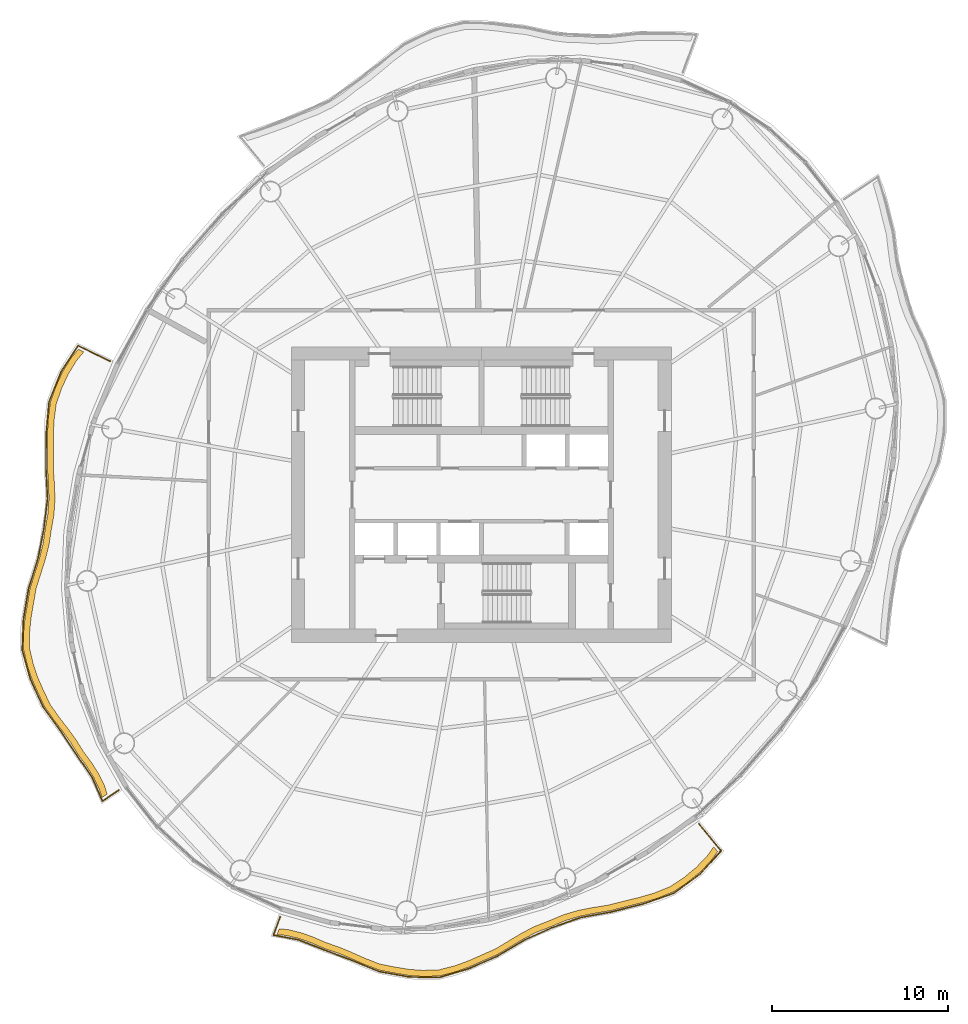
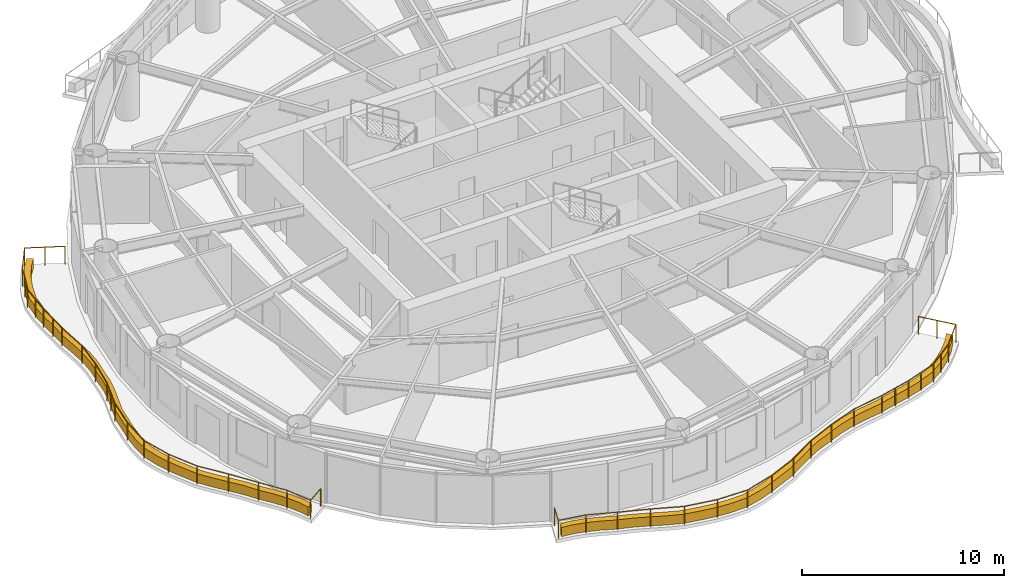
# One storey, part 12 of 14: 2 coverings, 2 railings.
"""IFC4 building model written with IfcOpenShell, lengths in metres."""

from ifc_helpers import new_model, si_unit, direction, frame, origin, origin_2d, place, context, subcontext, project, spatial, polyline, circle, outline, extrude, material, type_object, element, save


model = new_model("IFC4")

# Units and contexts
model_context = context("Model", 3, precision=1e-05, world=origin(), true_north=direction((0.0, 1.0)))
body_context = subcontext(model_context, "Body", "Model", "MODEL_VIEW")
ifc_project = project(units=[si_unit("LENGTHUNIT", "METRE"), si_unit("AREAUNIT", "SQUARE_METRE"), si_unit("VOLUMEUNIT", "CUBIC_METRE"), si_unit("PLANEANGLEUNIT", "RADIAN"), si_unit("MASSUNIT", "GRAM", prefix="KILO")], contexts=[model_context])

# Site, building, storey
site_placement = place(None, origin())
site = spatial("IfcSite", under=ifc_project, at=site_placement, CompositionType="ELEMENT")
building_placement = place(site_placement, origin())
building = spatial("IfcBuilding", under=site, at=building_placement, Name="Vermilion Reach Broadcast Tower", CompositionType="ELEMENT")
storey_placement = place(building_placement, frame((0.0, 0.0, 238.89990234375)))
storey = spatial("IfcBuildingStorey", under=building, at=storey_placement, Name="L59", CompositionType="ELEMENT", Elevation=238.89990234375)

# Coverings
ifc_material_1 = material(Name="Planting soil and greenery")
covering_type = type_object("IfcCoveringType", Name="Balcony PLANTER", PredefinedType="USERDEFINED", material=ifc_material_1)
placement = place(storey_placement, origin())
element("IfcCovering", 1, at=placement, inside=storey, type_object=covering_type, Name="PLANTER L59 group 2", ObjectType="PLANTER", PredefinedType="USERDEFINED", context=body_context, shape_type="SweptSolid", body=[
    extrude(outline(polyline([(-28.928955078125, 8.27099609375), (-29.375732421875, 7.726318359375), (-29.8251953125, 6.981689453125), (-30.189697265625, 6.20166015625), (-30.516357421875, 5.260009765625), (-30.648193359375, 4.2763671875), (-30.678955078125, 3.40380859375), (-30.673828125, 2.52099609375), (-30.690185546875, 1.55126953125), (-30.6240234375, 0.60888671875), (-30.6005859375, -0.236083984375), (-30.65478515625, -1.068115234375), (-30.808837890625, -1.94970703125), (-30.93798828125, -2.8203125), (-31.13818359375, -3.622802734375), (-31.39111328125, -4.423095703125), (-31.67529296875, -5.336669921875), (-31.830810546875, -6.2578125), (-31.965087890625, -7.06201171875), (-32.0439453125, -7.861572265625), (-32.036865234375, -8.819580078125), (-31.825927734375, -9.73046875), (-31.57666015625, -10.463134765625), (-31.261474609375, -11.180908203125), (-30.8662109375, -12.027099609375), (-30.339599609375, -12.782958984375), (-29.861328125, -13.404296875), (-29.40234375, -14.032958984375), (-28.95263671875, -14.760009765625), (-28.46044921875, -15.427978515625), (-28.0712890625, -16.052490234375), (-27.744384765625, -16.7119140625), (-27.57861328125, -17.223876953125), (-27.28759765625, -17.029541015625), (-27.439453125, -16.54052734375), (-27.766357421875, -15.881103515625), (-28.155517578125, -15.25634765625), (-28.6357421875, -14.611572265625), (-29.0751953125, -13.90869140625), (-29.533935546875, -13.280029296875), (-30.012451171875, -12.65869140625), (-30.531005859375, -11.926513671875), (-30.920166015625, -11.104248046875), (-31.235107421875, -10.386474609375), (-31.484375, -9.65380859375), (-31.69091796875, -8.766357421875), (-31.6953125, -7.83154296875), (-31.616455078125, -7.0322265625), (-31.482177734375, -6.22802734375), (-31.3251953125, -5.329345703125), (-31.04150390625, -4.43798828125), (-30.78857421875, -3.6376953125), (-30.58837890625, -2.83544921875), (-30.460693359375, -1.98583984375), (-30.3095703125, -1.125732421875), (-30.25537109375, -0.293701171875), (-30.278564453125, 0.55126953125), (-30.348876953125, 1.473876953125), (-30.337646484375, 2.423583984375), (-30.3427734375, 3.306396484375), (-30.31201171875, 4.178955078125), (-30.186279296875, 5.143798828125), (-29.86669921875, 6.067138671875), (-29.502197265625, 6.84716796875), (-29.052490234375, 7.591796875), (-28.61376953125, 8.118896484375), (-28.928955078125, 8.27099609375)])), origin(), (0.0, 0.0, 1.0), 0.550048828125),
])
element("IfcCovering", 2, at=placement, inside=storey, type_object=covering_type, Name="PLANTER L59 group 3", ObjectType="PLANTER", PredefinedType="USERDEFINED", context=body_context, shape_type="SweptSolid", body=[
    extrude(outline(polyline([(-17.624267578125, -25.018798828125), (-17.09228515625, -25.06884765625), (-16.37744140625, -25.2421875), (-15.681884765625, -25.484130859375), (-14.91748046875, -25.8154296875), (-14.104248046875, -26.089111328125), (-13.385498046875, -26.391357421875), (-12.668701171875, -26.710205078125), (-11.80712890625, -27.040771484375), (-10.888916015625, -27.2177734375), (-10.1171875, -27.343994140625), (-9.346435546875, -27.40087890625), (-8.412353515625, -27.377685546875), (-7.48193359375, -27.145751953125), (-6.7255859375, -26.869873046875), (-5.976806640625, -26.542724609375), (-5.121337890625, -26.17138671875), (-4.302734375, -25.681884765625), (-3.583251953125, -25.253173828125), (-2.847900390625, -24.87890625), (-2.029296875, -24.5595703125), (-1.204345703125, -24.21435546875), (-0.403564453125, -23.976806640625), (0.427001953125, -23.80908203125), (1.363037109375, -23.65576171875), (2.3037109375, -23.410888671875), (3.1611328125, -23.2041015625), (3.99755859375, -22.960693359375), (4.916748046875, -22.58935546875), (5.7470703125, -22.037353515625), (6.410400390625, -21.487548828125), (7.020263671875, -20.864501953125), (7.437255859375, -20.2958984375), (7.21484375, -20.025634765625), (6.813232421875, -20.58251953125), (6.203369140625, -21.205322265625), (5.539794921875, -21.75537109375), (4.725830078125, -22.2958984375), (3.8232421875, -22.656982421875), (2.987060546875, -22.900390625), (2.129638671875, -23.107177734375), (1.206787109375, -23.34228515625), (0.28955078125, -23.4873046875), (-0.541015625, -23.65478515625), (-1.341796875, -23.892578125), (-2.14697265625, -24.22998046875), (-2.9453125, -24.542724609375), (-3.680419921875, -24.9169921875), (-4.39990234375, -25.345703125), (-5.197021484375, -25.829833984375), (-6.0302734375, -26.19677734375), (-6.77880859375, -26.524169921875), (-7.535400390625, -26.800048828125), (-8.4423828125, -27.02880859375), (-9.352783203125, -27.05078125), (-10.12353515625, -26.994140625), (-10.895263671875, -26.86767578125), (-11.78857421875, -26.691162109375), (-12.62548828125, -26.363037109375), (-13.342041015625, -26.0439453125), (-14.060791015625, -25.74169921875), (-14.848388671875, -25.47216796875), (-15.58740234375, -25.147216796875), (-16.282958984375, -24.9052734375), (-16.997802734375, -24.73193359375), (-17.504150390625, -24.68994140625), (-17.624267578125, -25.018798828125)])), origin(), (0.0, 0.0, 1.0), 0.550048828125),
])

# Railings
ifc_material_2 = material(Name="Stainless steel 316 balustrade", Category="steel")
railing_type = type_object("IfcRailingType", Name="Balcony guard 1100", PredefinedType="BALUSTRADE", material=ifc_material_2)
railing_1_placement = place(storey_placement, frame((-27.11767578125, 7.596435546875, 0.0)))
element("IfcRailing", 3, at=railing_1_placement, inside=storey, type_object=railing_type, Name="Balcony guard L59 group 2", PredefinedType="BALUSTRADE", context=body_context, shape_type="SweptSolid", body=[
    extrude(circle(Radius=0.02490234375, at=origin_2d()), frame((0.0, 0.0, 1.0751953125), z_axis=(-0.900617075035, 0.434613488235, 0.0), x_axis=(-0.434613488235, -0.900617075035, 0.0)), (0.0, 0.0, 1.0), 2.014404296875),
    extrude(circle(Radius=0.02490234375, at=origin_2d()), frame((-1.814208984375, 0.87548828125, 1.0751953125), z_axis=(-0.552445734791, -0.833548864861, 0.0), x_axis=(0.833548864861, -0.552445734791, 0.0)), (0.0, 0.0, 1.0), 1.7509765625),
    extrude(circle(Radius=0.02490234375, at=origin_2d()), frame((-2.781494140625, -0.583984375, 1.0751953125), z_axis=(-0.372408915916, -0.928068747101, 0.0), x_axis=(0.928068747101, -0.372408915916, 0.0)), (0.0, 0.0, 1.0), 1.85986328125),
    extrude(circle(Radius=0.02490234375, at=origin_2d()), frame((-3.47412109375, -2.31005859375, 1.0751953125), z_axis=(-0.087848027969, -0.996133888582, 0.0), x_axis=(0.996133888582, -0.087848027969, 0.0)), (0.0, 0.0, 1.0), 1.86767578125),
    extrude(circle(Radius=0.02490234375, at=origin_2d()), frame((-3.63818359375, -4.17041015625, 1.0751953125), z_axis=(-0.006573615524, -0.999978393556, 0.0), x_axis=(0.999978393556, -0.006573615524, 0.0)), (0.0, 0.0, 1.0), 1.85693359375),
    extrude(circle(Radius=0.02490234375, at=origin_2d()), frame((-3.650390625, -6.02734375, 1.0751953125), z_axis=(0.049394672989, -0.998779338132, 0.0), x_axis=(0.998779338132, 0.049394672989, 0.0)), (0.0, 0.0, 1.0), 1.794189453125),
    extrude(circle(Radius=0.02490234375, at=origin_2d()), frame((-3.561767578125, -7.8193359375, 1.0751953125), z_axis=(-0.120718830729, -0.992686740068, 0.0), x_axis=(0.992686740068, -0.120718830729, 0.0)), (0.0, 0.0, 1.0), 1.731201171875),
    extrude(circle(Radius=0.02490234375, at=origin_2d()), frame((-3.770751953125, -9.537841796875, 1.0751953125), z_axis=(-0.192737939836, -0.981250267031, 0.0), x_axis=(0.981250267031, -0.192737939836, 0.0)), (0.0, 0.0, 1.0), 1.7099609375),
    extrude(circle(Radius=0.02490234375, at=origin_2d()), frame((-4.100341796875, -11.2158203125, 1.0751953125), z_axis=(-0.298236398729, -0.954492037931, 0.0), x_axis=(0.954492037931, -0.298236398729, 0.0)), (0.0, 0.0, 1.0), 1.801025390625),
    extrude(circle(Radius=0.02490234375, at=origin_2d()), frame((-4.637451171875, -12.934814453125, 1.0751953125), z_axis=(-0.165030765454, -0.986288419507, 0.0), x_axis=(0.986288419507, -0.165030765454, 0.0)), (0.0, 0.0, 1.0), 1.754638671875),
    extrude(circle(Radius=0.02490234375, at=origin_2d()), frame((-4.927001953125, -14.665283203125, 1.0751953125), z_axis=(-0.040404591209, -0.999183401088, 0.0), x_axis=(0.999183401088, -0.040404591209, 0.0)), (0.0, 0.0, 1.0), 1.764404296875),
    extrude(circle(Radius=0.02490234375, at=origin_2d()), frame((-4.998291015625, -16.42822265625, 1.0751953125), z_axis=(0.269481839114, -0.963005471629, 0.0), x_axis=(0.963005471629, 0.269481839114, 0.0)), (0.0, 0.0, 1.0), 1.712158203125),
    extrude(circle(Radius=0.02490234375, at=origin_2d()), frame((-4.536865234375, -18.0771484375, 1.0751953125), z_axis=(0.412948900512, -0.910754196019, 0.0), x_axis=(0.910754196019, 0.412948900512, 0.0)), (0.0, 0.0, 1.0), 1.723388671875),
    extrude(circle(Radius=0.02490234375, at=origin_2d()), frame((-3.8251953125, -19.646728515625, 1.0751953125), z_axis=(0.58874876767, -0.808316082091, 0.0), x_axis=(0.808316082091, 0.58874876767, 0.0)), (0.0, 0.0, 1.0), 1.710205078125),
    extrude(circle(Radius=0.02490234375, at=origin_2d()), frame((-2.818359375, -21.029052734375, 1.0751953125), z_axis=(0.556178548392, -0.831062826932, 0.0), x_axis=(0.831062826932, 0.556178548392, 0.0)), (0.0, 0.0, 1.0), 1.6376953125),
    extrude(circle(Radius=0.02490234375, at=origin_2d()), frame((-1.907470703125, -22.39013671875, 1.0751953125), z_axis=(0.562960478166, -0.826483817158, 0.0), x_axis=(0.826483817158, 0.562960478166, 0.0)), (0.0, 0.0, 1.0), 1.5703125),
    extrude(circle(Radius=0.02490234375, at=origin_2d()), frame((-1.0234375, -23.68798828125, 1.0751953125), z_axis=(0.401232193788, -0.915976378881, 0.0), x_axis=(0.915976378881, 0.401232193788, 0.0)), (0.0, 0.0, 1.0), 1.4560546875),
    extrude(circle(Radius=0.02490234375, at=origin_2d()), frame((-0.439208984375, -25.021728515625, 1.0751953125), z_axis=(0.8313170282, 0.55579852341, 0.0), x_axis=(-0.55579852341, 0.8313170282, 0.0)), (0.0, 0.0, 1.0), 1.1279296875),
    extrude(circle(Radius=0.02490234375, at=origin_2d()), origin(), (0.0, 0.0, 1.0), 1.050048828125),
    extrude(circle(Radius=0.02490234375, at=origin_2d()), frame((-0.9072265625, 0.437744140625, 0.0)), (0.0, 0.0, 1.0), 1.050048828125),
    extrude(circle(Radius=0.02490234375, at=origin_2d()), frame((-1.814208984375, 0.87548828125, 0.0)), (0.0, 0.0, 1.0), 1.050048828125),
    extrude(circle(Radius=0.02490234375, at=origin_2d()), frame((-2.781494140625, -0.583984375, 0.0)), (0.0, 0.0, 1.0), 1.050048828125),
    extrude(circle(Radius=0.02490234375, at=origin_2d()), frame((-3.1279296875, -1.447021484375, 0.0)), (0.0, 0.0, 1.0), 1.050048828125),
    extrude(circle(Radius=0.02490234375, at=origin_2d()), frame((-3.47412109375, -2.31005859375, 0.0)), (0.0, 0.0, 1.0), 1.050048828125),
    extrude(circle(Radius=0.02490234375, at=origin_2d()), frame((-3.55615234375, -3.240234375, 0.0)), (0.0, 0.0, 1.0), 1.050048828125),
    extrude(circle(Radius=0.02490234375, at=origin_2d()), frame((-3.63818359375, -4.17041015625, 0.0)), (0.0, 0.0, 1.0), 1.050048828125),
    extrude(circle(Radius=0.02490234375, at=origin_2d()), frame((-3.644287109375, -5.098876953125, 0.0)), (0.0, 0.0, 1.0), 1.050048828125),
    extrude(circle(Radius=0.02490234375, at=origin_2d()), frame((-3.650390625, -6.02734375, 0.0)), (0.0, 0.0, 1.0), 1.050048828125),
    extrude(circle(Radius=0.02490234375, at=origin_2d()), frame((-3.561767578125, -7.8193359375, 0.0)), (0.0, 0.0, 1.0), 1.050048828125),
    extrude(circle(Radius=0.02490234375, at=origin_2d()), frame((-3.770751953125, -9.537841796875, 0.0)), (0.0, 0.0, 1.0), 1.050048828125),
    extrude(circle(Radius=0.02490234375, at=origin_2d()), frame((-4.100341796875, -11.2158203125, 0.0)), (0.0, 0.0, 1.0), 1.050048828125),
    extrude(circle(Radius=0.02490234375, at=origin_2d()), frame((-4.368896484375, -12.0751953125, 0.0)), (0.0, 0.0, 1.0), 1.050048828125),
    extrude(circle(Radius=0.02490234375, at=origin_2d()), frame((-4.637451171875, -12.934814453125, 0.0)), (0.0, 0.0, 1.0), 1.050048828125),
    extrude(circle(Radius=0.02490234375, at=origin_2d()), frame((-4.927001953125, -14.665283203125, 0.0)), (0.0, 0.0, 1.0), 1.050048828125),
    extrude(circle(Radius=0.02490234375, at=origin_2d()), frame((-4.998291015625, -16.42822265625, 0.0)), (0.0, 0.0, 1.0), 1.050048828125),
    extrude(circle(Radius=0.02490234375, at=origin_2d()), frame((-4.536865234375, -18.0771484375, 0.0)), (0.0, 0.0, 1.0), 1.050048828125),
    extrude(circle(Radius=0.02490234375, at=origin_2d()), frame((-3.8251953125, -19.646728515625, 0.0)), (0.0, 0.0, 1.0), 1.050048828125),
    extrude(circle(Radius=0.02490234375, at=origin_2d()), frame((-2.818359375, -21.029052734375, 0.0)), (0.0, 0.0, 1.0), 1.050048828125),
    extrude(circle(Radius=0.02490234375, at=origin_2d()), frame((-1.907470703125, -22.39013671875, 0.0)), (0.0, 0.0, 1.0), 1.050048828125),
    extrude(circle(Radius=0.02490234375, at=origin_2d()), frame((-1.0234375, -23.68798828125, 0.0)), (0.0, 0.0, 1.0), 1.050048828125),
    extrude(circle(Radius=0.02490234375, at=origin_2d()), frame((-0.439208984375, -25.021728515625, 0.0)), (0.0, 0.0, 1.0), 1.050048828125),
    extrude(circle(Radius=0.02490234375, at=origin_2d()), frame((0.49853515625, -24.394775390625, 0.0)), (0.0, 0.0, 1.0), 1.050048828125),
])
railing_2_placement = place(storey_placement, frame((-17.4453125, -24.007080078125, 0.0)))
element("IfcRailing", 4, at=railing_2_placement, inside=storey, type_object=railing_type, Name="Balcony guard L59 group 3", PredefinedType="BALUSTRADE", context=body_context, shape_type="SweptSolid", body=[
    extrude(circle(Radius=0.02490234375, at=origin_2d()), frame((0.0, 0.0, 1.0751953125), z_axis=(-0.343586281189, -0.939121114329, 0.0), x_axis=(0.939121114329, -0.343586281189, 0.0)), (0.0, 0.0, 1.0), 1.105712890625),
    extrude(circle(Radius=0.02490234375, at=origin_2d()), frame((-0.3798828125, -1.038330078125, 1.0751953125), z_axis=(0.982051981, -0.18861046263, 0.0), x_axis=(0.18861046263, 0.982051981, 0.0)), (0.0, 0.0, 1.0), 1.452392578125),
    extrude(circle(Radius=0.02490234375, at=origin_2d()), frame((1.04638671875, -1.312255859375, 1.0751953125), z_axis=(0.931032102625, -0.364937287602, 0.0), x_axis=(0.364937287602, 0.931032102625, 0.0)), (0.0, 0.0, 1.0), 1.57421875),
    extrude(circle(Radius=0.02490234375, at=origin_2d()), frame((2.511962890625, -1.88671875, 1.0751953125), z_axis=(0.93630474465, -0.351188589144, 0.0), x_axis=(0.351188589144, 0.93630474465, 0.0)), (0.0, 0.0, 1.0), 1.642822265625),
    extrude(circle(Radius=0.02490234375, at=origin_2d()), frame((4.050048828125, -2.463623046875, 1.0751953125), z_axis=(0.925155778686, -0.379587651489, 0.0), x_axis=(0.379587651489, 0.925155778686, 0.0)), (0.0, 0.0, 1.0), 1.712158203125),
    extrude(circle(Radius=0.02490234375, at=origin_2d()), frame((5.634033203125, -3.113525390625, 1.0751953125), z_axis=(0.984358295492, -0.176178165774, 0.0), x_axis=(0.176178165774, 0.984358295492, 0.0)), (0.0, 0.0, 1.0), 1.722412109375),
    extrude(circle(Radius=0.02490234375, at=origin_2d()), frame((7.32958984375, -3.4169921875, 1.0751953125), z_axis=(0.999811587901, -0.019411045818, 0.0), x_axis=(0.019411045818, 0.999811587901, 0.0)), (0.0, 0.0, 1.0), 1.71044921875),
    extrude(circle(Radius=0.02490234375, at=origin_2d()), frame((9.039794921875, -3.4501953125, 1.0751953125), z_axis=(0.957723540063, 0.287690147224, 0.0), x_axis=(-0.287690147224, 0.957723540063, 0.0)), (0.0, 0.0, 1.0), 1.766845703125),
    extrude(circle(Radius=0.02490234375, at=origin_2d()), frame((10.73193359375, -2.94189453125, 1.0751953125), z_axis=(0.917103235457, 0.398649790561, 0.0), x_axis=(-0.398649790561, 0.917103235457, 0.0)), (0.0, 0.0, 1.0), 1.754638671875),
    extrude(circle(Radius=0.02490234375, at=origin_2d()), frame((12.341064453125, -2.242431640625, 1.0751953125), z_axis=(0.859119341682, 0.511775299079, 0.0), x_axis=(-0.511775299079, 0.859119341682, 0.0)), (0.0, 0.0, 1.0), 1.796630859375),
    extrude(circle(Radius=0.02490234375, at=origin_2d()), frame((13.884521484375, -1.322998046875, 1.0751953125), z_axis=(0.913273834742, 0.407346170689, 0.0), x_axis=(-0.407346170689, 0.913273834742, 0.0)), (0.0, 0.0, 1.0), 1.706298828125),
    extrude(circle(Radius=0.02490234375, at=origin_2d()), frame((15.44287109375, -0.6279296875, 1.0751953125), z_axis=(0.941294619449, 0.337586195505, 0.0), x_axis=(-0.337586195505, 0.941294619449, 0.0)), (0.0, 0.0, 1.0), 1.73193359375),
    extrude(circle(Radius=0.02490234375, at=origin_2d()), frame((17.0732421875, -0.043212890625, 1.0751953125), z_axis=(0.983767751909, 0.179446399528, 0.0), x_axis=(-0.179446399528, 0.983767751909, 0.0)), (0.0, 0.0, 1.0), 1.800048828125),
    extrude(circle(Radius=0.02490234375, at=origin_2d()), frame((18.843994140625, 0.27978515625, 1.0751953125), z_axis=(0.969723792729, 0.244204352572, 0.0), x_axis=(-0.244204352572, 0.969723792729, 0.0)), (0.0, 0.0, 1.0), 1.8583984375),
    extrude(circle(Radius=0.02490234375, at=origin_2d()), frame((20.646240234375, 0.733642578125, 1.0751953125), z_axis=(0.943631553815, 0.33099772, 0.0), x_axis=(-0.33099772, 0.943631553815, 0.0)), (0.0, 0.0, 1.0), 1.86474609375),
    extrude(circle(Radius=0.02490234375, at=origin_2d()), frame((22.40576171875, 1.350830078125, 1.0751953125), z_axis=(0.804808393589, 0.593534708007, 0.0), x_axis=(-0.593534708007, 0.804808393589, 0.0)), (0.0, 0.0, 1.0), 1.8603515625),
    extrude(circle(Radius=0.02490234375, at=origin_2d()), frame((23.903076171875, 2.455078125, 1.0751953125), z_axis=(0.670409948922, 0.741990903169, 0.0), x_axis=(-0.741990903169, 0.670409948922, 0.0)), (0.0, 0.0, 1.0), 1.753173828125),
    extrude(circle(Radius=0.02490234375, at=origin_2d()), frame((25.078369140625, 3.755859375, 1.0751953125), z_axis=(-0.635223094153, 0.772328699878, 0.0), x_axis=(-0.772328699878, -0.635223094153, 0.0)), (0.0, 0.0, 1.0), 1.980224609375),
    extrude(circle(Radius=0.02490234375, at=origin_2d()), origin(), (0.0, 0.0, 1.0), 1.050048828125),
    extrude(circle(Radius=0.02490234375, at=origin_2d()), frame((-0.3798828125, -1.038330078125, 0.0)), (0.0, 0.0, 1.0), 1.050048828125),
    extrude(circle(Radius=0.02490234375, at=origin_2d()), frame((1.04638671875, -1.312255859375, 0.0)), (0.0, 0.0, 1.0), 1.050048828125),
    extrude(circle(Radius=0.02490234375, at=origin_2d()), frame((2.511962890625, -1.88671875, 0.0)), (0.0, 0.0, 1.0), 1.050048828125),
    extrude(circle(Radius=0.02490234375, at=origin_2d()), frame((4.050048828125, -2.463623046875, 0.0)), (0.0, 0.0, 1.0), 1.050048828125),
    extrude(circle(Radius=0.02490234375, at=origin_2d()), frame((5.634033203125, -3.113525390625, 0.0)), (0.0, 0.0, 1.0), 1.050048828125),
    extrude(circle(Radius=0.02490234375, at=origin_2d()), frame((7.32958984375, -3.4169921875, 0.0)), (0.0, 0.0, 1.0), 1.050048828125),
    extrude(circle(Radius=0.02490234375, at=origin_2d()), frame((9.039794921875, -3.4501953125, 0.0)), (0.0, 0.0, 1.0), 1.050048828125),
    extrude(circle(Radius=0.02490234375, at=origin_2d()), frame((10.73193359375, -2.94189453125, 0.0)), (0.0, 0.0, 1.0), 1.050048828125),
    extrude(circle(Radius=0.02490234375, at=origin_2d()), frame((12.341064453125, -2.242431640625, 0.0)), (0.0, 0.0, 1.0), 1.050048828125),
    extrude(circle(Radius=0.02490234375, at=origin_2d()), frame((13.884521484375, -1.322998046875, 0.0)), (0.0, 0.0, 1.0), 1.050048828125),
    extrude(circle(Radius=0.02490234375, at=origin_2d()), frame((15.44287109375, -0.6279296875, 0.0)), (0.0, 0.0, 1.0), 1.050048828125),
    extrude(circle(Radius=0.02490234375, at=origin_2d()), frame((17.0732421875, -0.043212890625, 0.0)), (0.0, 0.0, 1.0), 1.050048828125),
    extrude(circle(Radius=0.02490234375, at=origin_2d()), frame((18.843994140625, 0.27978515625, 0.0)), (0.0, 0.0, 1.0), 1.050048828125),
    extrude(circle(Radius=0.02490234375, at=origin_2d()), frame((19.7451171875, 0.5068359375, 0.0)), (0.0, 0.0, 1.0), 1.050048828125),
    extrude(circle(Radius=0.02490234375, at=origin_2d()), frame((20.646240234375, 0.733642578125, 0.0)), (0.0, 0.0, 1.0), 1.050048828125),
    extrude(circle(Radius=0.02490234375, at=origin_2d()), frame((21.52587890625, 1.042236328125, 0.0)), (0.0, 0.0, 1.0), 1.050048828125),
    extrude(circle(Radius=0.02490234375, at=origin_2d()), frame((22.40576171875, 1.350830078125, 0.0)), (0.0, 0.0, 1.0), 1.050048828125),
    extrude(circle(Radius=0.02490234375, at=origin_2d()), frame((23.154296875, 1.90283203125, 0.0)), (0.0, 0.0, 1.0), 1.050048828125),
    extrude(circle(Radius=0.02490234375, at=origin_2d()), frame((23.903076171875, 2.455078125, 0.0)), (0.0, 0.0, 1.0), 1.050048828125),
    extrude(circle(Radius=0.02490234375, at=origin_2d()), frame((25.078369140625, 3.755859375, 0.0)), (0.0, 0.0, 1.0), 1.050048828125),
    extrude(circle(Radius=0.02490234375, at=origin_2d()), frame((24.449462890625, 4.5205078125, 0.0)), (0.0, 0.0, 1.0), 1.050048828125),
    extrude(circle(Radius=0.02490234375, at=origin_2d()), frame((23.820556640625, 5.28515625, 0.0)), (0.0, 0.0, 1.0), 1.050048828125),
])

save(model, "model.ifc")
